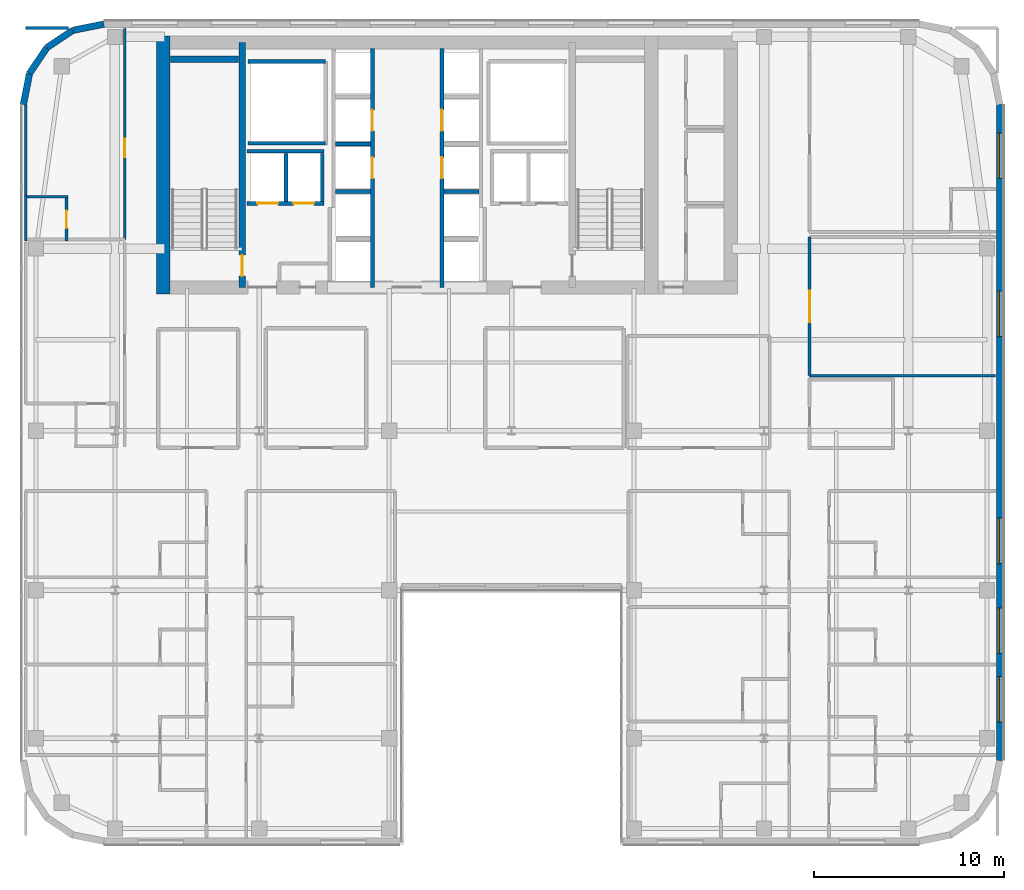
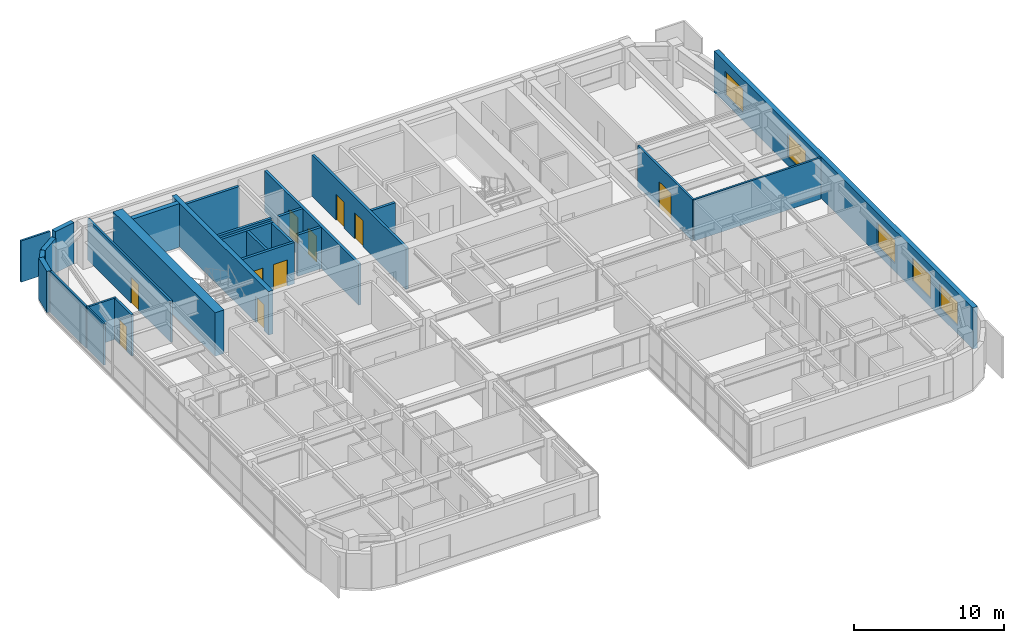
# One storey, part 21 of 28: 27 walls, 10 doors, 5 windows, 15 openings.
"""IFC4 building model written with IfcOpenShell, lengths in metres."""

from ifc_helpers import new_model, si_unit, direction, frame, frame_2d, origin, place, context, subcontext, project, spatial, rectangle, extrude, source, transform, mapped, material, layer, layer_set, type_object, type_shapes, element, fill, save


model = new_model("IFC4")

# Units and contexts
model_context = context("Model", 3, precision=1e-05, world=origin(), true_north=direction((0.0, 1.0)))
body_context = subcontext(model_context, "Body", "Model", "MODEL_VIEW")
ifc_project = project(units=[si_unit("LENGTHUNIT", "METRE"), si_unit("AREAUNIT", "SQUARE_METRE"), si_unit("VOLUMEUNIT", "CUBIC_METRE"), si_unit("PLANEANGLEUNIT", "RADIAN"), si_unit("MASSUNIT", "GRAM", prefix="KILO")], contexts=[model_context])

# Site, building, storey
site_placement = place(None, origin())
site = spatial("IfcSite", under=ifc_project, at=site_placement, CompositionType="ELEMENT")
building_placement = place(site_placement, origin())
building = spatial("IfcBuilding", under=site, at=building_placement, Name="Tolvann Quenvar Hotel", CompositionType="ELEMENT")
storey_placement = place(building_placement, frame((0.0, 0.0, 154.14990234375)))
storey = spatial("IfcBuildingStorey", under=building, at=storey_placement, Name="L40", CompositionType="ELEMENT", Elevation=154.14990234375)

# Wall
ifc_material_1 = material(Name="Concrete S65 (65 MPa)", Category="concrete")
ifc_layer_1 = layer(ifc_material_1, 0.699951171875)
ifc_layer_set_1 = layer_set([ifc_layer_1], Name="Concrete S65 (65 MPa)")
wall_type_1 = type_object("IfcWallType", Name="WALL_CORE_700", PredefinedType="SHEAR", material=ifc_layer_set_1)
wall_1_placement = place(storey_placement, frame((10.14990234375, 31.60009765625, 0.0), z_axis=(0.0, 0.0, 1.0), x_axis=(0.0, 1.0, 0.0)))
element("IfcWall", 1, at=wall_1_placement, inside=storey, type_object=wall_type_1, Name="Rear Core W Shear Wall (L40)", PredefinedType="SHEAR", context=body_context, shape_type="SweptSolid", body=[
    extrude(rectangle(XDim=13.599853515625, YDim=0.699951171875, at=frame_2d((6.7998046875, 0.0))), origin(), (0.0, 0.0, 1.0), 3.550048828125),
])

# Wall, opening, door
ifc_layer_2 = layer(ifc_material_1, 0.35009765625)
ifc_layer_set_2 = layer_set([ifc_layer_2], Name="Concrete S65 (65 MPa)")
wall_type_2 = type_object("IfcWallType", Name="WALL_CORE_INT_350", PredefinedType="SHEAR", material=ifc_layer_set_2)
wall_2_placement = place(storey_placement, frame((14.300048828125, 31.949951171875, 0.0), z_axis=(0.0, 0.0, 1.0), x_axis=(0.0, 1.0, 0.0)))
wall_2 = element("IfcWall", 2, at=wall_2_placement, inside=storey, type_object=wall_type_2, Name="Core Internal Web Shear Wall WEB-W (L40)", PredefinedType="SHEAR", context=body_context, shape_type="SweptSolid", body=[
    extrude(rectangle(XDim=12.900146484375, YDim=0.35009765625, at=frame_2d((6.4501953125, 0.0))), origin(), (0.0, 0.0, 1.0), 3.550048828125),
])
opening_1_placement = place(wall_2_placement, frame((0.60009765625, 0.0, 0.0)))
opening_1 = element("IfcOpeningElement", 3, at=opening_1_placement, cuts=wall_2, Name="Opening FD-120", PredefinedType="OPENING", context=body_context, shape_type="SweptSolid", body=[
    extrude(rectangle(XDim=1.10009765625, YDim=2.1201171875, at=frame_2d((0.550048828125, 1.06005859375))), frame((0.0, 0.18505859375, 0.0), z_axis=(0.0, -1.0, 0.0), x_axis=(1.0, 0.0, 0.0)), (0.0, 0.0, 1.0), 0.3701171875),
])
ifc_material_2 = material(Name="Pressed galvanised steel fire-rated door set", Category="steel")
door_type_1 = type_object("IfcDoorType", Name="DOOR_FIRE_STAIR_1100", OperationType="NOTDEFINED", PredefinedType="DOOR", material=ifc_material_2)
shared_shape_1 = source(origin(), body_context, "Body", "SweptSolid", [
    extrude(rectangle(XDim=1.10009765625, YDim=2.1201171875, at=frame_2d((0.550048828125, 1.06005859375))), frame((0.0, 0.02490234375, 0.0), z_axis=(0.0, -1.0, 0.0), x_axis=(1.0, 0.0, 0.0)), (0.0, 0.0, 1.0), 0.050048828125),
])
type_shapes(door_type_1, [shared_shape_1])
door_1_placement = place(opening_1_placement, origin())
door_1 = element("IfcDoor", 4, at=door_1_placement, inside=storey, type_object=door_type_1, Name="Exit Stair ST-C1 Fire Door (L40)", OperationType="SINGLE_SWING_LEFT", OverallHeight=2.1201171875, OverallWidth=1.10009765625, PredefinedType="DOOR", context=body_context, shape_type="MappedRepresentation", body=[
    mapped(shared_shape_1, transform((0.0, 0.0, 0.0), x_axis=(1.0, 0.0, 0.0), y_axis=(0.0, 1.0, 0.0), z_axis=(0.0, 0.0, 1.0), scale=1.0)),
])
fill(opening_1, door_1)

# Wall
wall_3_placement = place(storey_placement, frame((10.52001953125, 43.97509765625, 0.0), z_axis=(0.0, 0.0, 1.0), x_axis=(1.0, 0.0, 0.0)))
element("IfcWall", 5, at=wall_3_placement, inside=storey, type_object=wall_type_2, Name="Core Stair North Closing Shear Wall STC1-N (L40)", PredefinedType="SHEAR", context=body_context, shape_type="SweptSolid", body=[
    extrude(rectangle(XDim=3.60009765625, YDim=0.35009765625, at=frame_2d((1.800048828125, 0.0))), origin(), (0.0, 0.0, 1.0), 3.550048828125),
])

# Wall, openings, windows
ifc_material_3 = material(Name="Kiln-fired red and buff architectural clay brickwork and terracotta masonry", Category="masonry")
ifc_layer_3 = layer(ifc_material_3, 0.35009765625)
ifc_layer_set_3 = layer_set([ifc_layer_3], Name="Kiln-fired red and buff architectural clay brickwork and terracotta masonry")
wall_type_3 = type_object("IfcWallType", Name="WALL_EXT_BRICK_350", PredefinedType="SOLIDWALL", material=ifc_layer_set_3)
wall_4_placement = place(storey_placement, frame((54.22509765625, 7.01708984375, 0.0), z_axis=(0.0, 0.0, 1.0), x_axis=(0.0, 1.0, 0.0)))
wall_4 = element("IfcWall", 6, at=wall_4_placement, inside=storey, type_object=wall_type_3, Name="Exterior Chicago Brick Wall L40-E13", PredefinedType="SOLIDWALL", context=body_context, shape_type="SweptSolid", body=[
    extrude(rectangle(XDim=34.565673828125, YDim=0.35009765625, at=frame_2d((17.28271484375, 0.0))), origin(), (0.0, 0.0, 1.0), 3.3701171875),
])
opening_2_placement = place(wall_4_placement, frame((2.034912109375, 0.0, 0.679931640625)))
opening_2 = element("IfcOpeningElement", 7, at=opening_2_placement, cuts=wall_4, Name="Opening W-01", PredefinedType="OPENING", context=body_context, shape_type="SweptSolid", body=[
    extrude(rectangle(XDim=2.39990234375, YDim=1.89990234375, at=frame_2d((1.199951171875, 0.949951171875))), frame((0.0, 0.18505859375, 0.0), z_axis=(0.0, -1.0, 0.0), x_axis=(1.0, 0.0, 0.0)), (0.0, 0.0, 1.0), 0.3701171875),
])
opening_3_placement = place(wall_4_placement, frame((5.656005859375, 0.0, 0.679931640625)))
opening_3 = element("IfcOpeningElement", 8, at=opening_3_placement, cuts=wall_4, Name="Opening W-01", PredefinedType="OPENING", context=body_context, shape_type="SweptSolid", body=[
    extrude(rectangle(XDim=2.39990234375, YDim=1.89990234375, at=frame_2d((1.199951171875, 0.949951171875))), frame((0.0, 0.18505859375, 0.0), z_axis=(0.0, -1.0, 0.0), x_axis=(1.0, 0.0, 0.0)), (0.0, 0.0, 1.0), 0.3701171875),
])
opening_4_placement = place(wall_4_placement, frame((10.376953125, 0.0, 0.679931640625)))
opening_4 = element("IfcOpeningElement", 9, at=opening_4_placement, cuts=wall_4, Name="Opening W-01", PredefinedType="OPENING", context=body_context, shape_type="SweptSolid", body=[
    extrude(rectangle(XDim=2.39990234375, YDim=1.89990234375, at=frame_2d((1.199951171875, 0.949951171875))), frame((0.0, 0.18505859375, 0.0), z_axis=(0.0, -1.0, 0.0), x_axis=(1.0, 0.0, 0.0)), (0.0, 0.0, 1.0), 0.3701171875),
])
opening_5_placement = place(wall_4_placement, frame((22.339111328125, 0.0, 0.679931640625)))
opening_5 = element("IfcOpeningElement", 10, at=opening_5_placement, cuts=wall_4, Name="Opening W-01", PredefinedType="OPENING", context=body_context, shape_type="SweptSolid", body=[
    extrude(rectangle(XDim=2.39990234375, YDim=1.89990234375, at=frame_2d((1.199951171875, 0.949951171875))), frame((0.0, 0.18505859375, 0.0), z_axis=(0.0, -1.0, 0.0), x_axis=(1.0, 0.0, 0.0)), (0.0, 0.0, 1.0), 0.3701171875),
])
opening_6_placement = place(wall_4_placement, frame((30.679931640625, 0.0, 0.679931640625)))
opening_6 = element("IfcOpeningElement", 11, at=opening_6_placement, cuts=wall_4, Name="Opening W-01", PredefinedType="OPENING", context=body_context, shape_type="SweptSolid", body=[
    extrude(rectangle(XDim=2.39990234375, YDim=1.89990234375, at=frame_2d((1.199951171875, 0.949951171875))), frame((0.0, 0.18505859375, 0.0), z_axis=(0.0, -1.0, 0.0), x_axis=(1.0, 0.0, 0.0)), (0.0, 0.0, 1.0), 0.3701171875),
])
ifc_material_4 = material(Name="Thermally broken bronze-anodised aluminium frame with double low-E glazing", Category="aluminium")
window_type = type_object("IfcWindowType", Name="WIN_CHI_2400x2050", PartitioningType="TRIPLE_PANEL_HORIZONTAL", PredefinedType="WINDOW", material=ifc_material_4)
shared_shape_2 = source(origin(), body_context, "Body", "SweptSolid", [
    extrude(rectangle(XDim=2.39990234375, YDim=1.89990234375, at=frame_2d((1.199951171875, 0.949951171875))), frame((0.0, 0.090087890625, 0.0), z_axis=(0.0, -1.0, 0.0), x_axis=(1.0, 0.0, 0.0)), (0.0, 0.0, 1.0), 0.06005859375),
])
type_shapes(window_type, [shared_shape_2])
window_1_placement = place(opening_2_placement, origin())
window_1 = element("IfcWindow", 12, at=window_1_placement, inside=storey, type_object=window_type, Name="Chicago Window W-01 (EW-L40-E13-W01)", OverallHeight=1.89990234375, OverallWidth=2.39990234375, PartitioningType="TRIPLE_PANEL_HORIZONTAL", PredefinedType="WINDOW", context=body_context, shape_type="MappedRepresentation", body=[
    mapped(shared_shape_2, transform((0.0, 0.0, 0.0), x_axis=(1.0, 0.0, 0.0), y_axis=(0.0, 1.0, 0.0), z_axis=(0.0, 0.0, 1.0), scale=1.0)),
])
fill(opening_2, window_1)
window_2_placement = place(opening_3_placement, origin())
window_2 = element("IfcWindow", 13, at=window_2_placement, inside=storey, type_object=window_type, Name="Chicago Window W-01 (EW-L40-E13-W02)", OverallHeight=1.89990234375, OverallWidth=2.39990234375, PartitioningType="TRIPLE_PANEL_HORIZONTAL", PredefinedType="WINDOW", context=body_context, shape_type="MappedRepresentation", body=[
    mapped(shared_shape_2, transform((0.0, 0.0, 0.0), x_axis=(1.0, 0.0, 0.0), y_axis=(0.0, 1.0, 0.0), z_axis=(0.0, 0.0, 1.0), scale=1.0)),
])
fill(opening_3, window_2)
window_3_placement = place(opening_4_placement, origin())
window_3 = element("IfcWindow", 14, at=window_3_placement, inside=storey, type_object=window_type, Name="Chicago Window W-01 (EW-L40-E13-W03)", OverallHeight=1.89990234375, OverallWidth=2.39990234375, PartitioningType="TRIPLE_PANEL_HORIZONTAL", PredefinedType="WINDOW", context=body_context, shape_type="MappedRepresentation", body=[
    mapped(shared_shape_2, transform((0.0, 0.0, 0.0), x_axis=(1.0, 0.0, 0.0), y_axis=(0.0, 1.0, 0.0), z_axis=(0.0, 0.0, 1.0), scale=1.0)),
])
fill(opening_4, window_3)
window_4_placement = place(opening_5_placement, origin())
window_4 = element("IfcWindow", 15, at=window_4_placement, inside=storey, type_object=window_type, Name="Chicago Window W-01 (EW-L40-E13-W04)", OverallHeight=1.89990234375, OverallWidth=2.39990234375, PartitioningType="TRIPLE_PANEL_HORIZONTAL", PredefinedType="WINDOW", context=body_context, shape_type="MappedRepresentation", body=[
    mapped(shared_shape_2, transform((0.0, 0.0, 0.0), x_axis=(1.0, 0.0, 0.0), y_axis=(0.0, 1.0, 0.0), z_axis=(0.0, 0.0, 1.0), scale=1.0)),
])
fill(opening_5, window_4)
window_5_placement = place(opening_6_placement, origin())
window_5 = element("IfcWindow", 16, at=window_5_placement, inside=storey, type_object=window_type, Name="Chicago Window W-01 (EW-L40-E13-W05)", OverallHeight=1.89990234375, OverallWidth=2.39990234375, PartitioningType="TRIPLE_PANEL_HORIZONTAL", PredefinedType="WINDOW", context=body_context, shape_type="MappedRepresentation", body=[
    mapped(shared_shape_2, transform((0.0, 0.0, 0.0), x_axis=(1.0, 0.0, 0.0), y_axis=(0.0, 1.0, 0.0), z_axis=(0.0, 0.0, 1.0), scale=1.0)),
])
fill(opening_6, window_5)

# Walls
wall_5_placement = place(storey_placement, frame((7.01708984375, 45.824951171875, 0.0), z_axis=(0.0, 0.0, 1.0), x_axis=(-0.980788844421, -0.195072403631, 0.0)))
element("IfcWall", 17, at=wall_5_placement, inside=storey, type_object=wall_type_3, Name="Exterior Chicago Brick Wall L40-E19", PredefinedType="SOLIDWALL", context=body_context, shape_type="SweptSolid", body=[
    extrude(rectangle(XDim=1.66455078125, YDim=0.35009765625, at=frame_2d((0.832275390625, 0.0))), origin(), (0.0, 0.0, 1.0), 3.3701171875),
])
for number, where, z_axis, x_axis, name in (
    (18, (5.384521484375, 45.500244140625, 0.0), (0.0, 0.0, 1.0), (-0.831502623162, -0.555520825599, 0.0), "Exterior Chicago Brick Wall L40-E20"),
    (19, (4.014892578125, 44.585205078125, 0.0), (0.0, 0.0, 1.0), (-0.555623290322, -0.831434158098, 0.0), "Exterior Chicago Brick Wall L40-E21"),
):
    element("IfcWall", number, at=place(storey_placement, frame(where, z_axis=z_axis, x_axis=x_axis)), inside=storey, type_object=wall_type_3, Name=name, PredefinedType="SOLIDWALL", context=body_context, shape_type="SweptSolid", body=[
        extrude(rectangle(XDim=1.647216796875, YDim=0.35009765625, at=frame_2d((0.82373046875, 0.0))), origin(), (0.0, 0.0, 1.0), 2.83203125),
    ])
wall_6_placement = place(storey_placement, frame((3.099609375, 43.215576171875, 0.0), z_axis=(0.0, 0.0, 1.0), x_axis=(-0.195044345786, -0.980794424524, 0.0)))
element("IfcWall", 20, at=wall_6_placement, inside=storey, type_object=wall_type_3, Name="Exterior Chicago Brick Wall L40-E22", PredefinedType="SOLIDWALL", context=body_context, shape_type="SweptSolid", body=[
    extrude(rectangle(XDim=1.664794921875, YDim=0.35009765625, at=frame_2d((0.83251953125, 0.0))), origin(), (0.0, 0.0, 1.0), 3.3701171875),
])
ifc_material_5 = material(Name="Moisture-resistant acoustic plumbing wall assembly")
ifc_layer_4 = layer(ifc_material_5, 0.1201171875)
ifc_layer_set_4 = layer_set([ifc_layer_4], Name="Moisture-resistant acoustic plumbing wall assembly")
wall_type_4 = type_object("IfcWallType", Name="WALL_PART_BATH_120", PredefinedType="PLUMBINGWALL", material=ifc_layer_set_4)
wall_7_placement = place(storey_placement, frame((2.89990234375, 34.409912109375, 0.0), z_axis=(0.0, 0.0, 1.0), x_axis=(0.0, 1.0, 0.0)))
element("IfcWall", 21, at=wall_7_placement, inside=storey, type_object=wall_type_4, Name="Non-Rated Plumbing Partition PT-SPC-L40-ENS-NW02-W", PredefinedType="PLUMBINGWALL", context=body_context, shape_type="SweptSolid", body=[
    extrude(rectangle(XDim=2.39013671875, YDim=0.1201171875, at=frame_2d((1.195068359375, 0.0))), origin(), (0.0, 0.0, 1.0), 3.3701171875),
])

# Wall, opening, door
ifc_material_6 = material(Name="Acoustic twin-stud fire-rated gypsum plasterboard partition")
ifc_layer_5 = layer(ifc_material_6, 0.14990234375)
ifc_layer_set_5 = layer_set([ifc_layer_5], Name="Acoustic twin-stud fire-rated gypsum plasterboard partition")
wall_type_5 = type_object("IfcWallType", Name="WALL_PART_SUITE_150", PredefinedType="PARTITIONING", material=ifc_layer_set_5)
wall_8_placement = place(storey_placement, frame((5.050048828125, 34.409912109375, 0.0), z_axis=(0.0, 0.0, 1.0), x_axis=(0.0, 1.0, 0.0)))
wall_8 = element("IfcWall", 22, at=wall_8_placement, inside=storey, type_object=wall_type_5, Name="Interior Partition PT-SPC-L40-ENS-NW02-ENT", PredefinedType="PARTITIONING", context=body_context, shape_type="SweptSolid", body=[
    extrude(rectangle(XDim=2.39013671875, YDim=0.14990234375, at=frame_2d((1.195068359375, 0.0))), origin(), (0.0, 0.0, 1.0), 3.3701171875),
])
opening_7_placement = place(wall_8_placement, frame((0.6650390625, 0.0, 0.0)))
opening_7 = element("IfcOpeningElement", 23, at=opening_7_placement, cuts=wall_8, Name="Opening WD-01", PredefinedType="OPENING", context=body_context, shape_type="SweptSolid", body=[
    extrude(rectangle(XDim=0.919921875, YDim=2.010009765625, at=frame_2d((0.4599609375, 1.0048828125))), frame((0.0, 0.0849609375, 0.0), z_axis=(0.0, -1.0, 0.0), x_axis=(1.0, 0.0, 0.0)), (0.0, 0.0, 1.0), 0.169921875),
])
ifc_material_7 = material(Name="Solid-core American oak acoustic fire door leaf in steel frame", Category="steel")
door_type_2 = type_object("IfcDoorType", Name="DOOR_WC_920", OperationType="NOTDEFINED", PredefinedType="DOOR", material=ifc_material_7)
shared_shape_3 = source(origin(), body_context, "Body", "SweptSolid", [
    extrude(rectangle(XDim=0.919921875, YDim=2.010009765625, at=frame_2d((0.4599609375, 1.0048828125))), frame((0.0, 0.02490234375, 0.0), z_axis=(0.0, -1.0, 0.0), x_axis=(1.0, 0.0, 0.0)), (0.0, 0.0, 1.0), 0.050048828125),
])
type_shapes(door_type_2, [shared_shape_3])
door_2_placement = place(opening_7_placement, origin())
door_2 = element("IfcDoor", 24, at=door_2_placement, inside=storey, type_object=door_type_2, Name="Interior Door DOOR-SPC-L40-ENS-NW02", OperationType="SINGLE_SWING_LEFT", OverallHeight=2.010009765625, OverallWidth=0.919921875, PredefinedType="DOOR", context=body_context, shape_type="MappedRepresentation", body=[
    mapped(shared_shape_3, transform((0.0, 0.0, 0.0), x_axis=(1.0, 0.0, 0.0), y_axis=(0.0, 1.0, 0.0), z_axis=(0.0, 0.0, 1.0), scale=1.0)),
])
fill(opening_7, door_2)

# Wall
wall_9_placement = place(storey_placement, frame((2.830078125, 36.72998046875, 0.0), z_axis=(0.0, 0.0, 1.0), x_axis=(1.0, 0.0, 0.0)))
element("IfcWall", 25, at=wall_9_placement, inside=storey, type_object=wall_type_5, Name="Interior Partition PT-SPC-L40-ENS-NW02-N", PredefinedType="PARTITIONING", context=body_context, shape_type="SweptSolid", body=[
    extrude(rectangle(XDim=2.2900390625, YDim=0.14990234375, at=frame_2d((1.14501953125, 0.0))), origin(), (0.0, 0.0, 1.0), 3.3701171875),
])

# Wall, opening, door
wall_10_placement = place(storey_placement, frame((8.1201171875, 34.47998046875, 0.0), z_axis=(0.0, 0.0, 1.0), x_axis=(0.0, 1.0, 0.0)))
wall_10 = element("IfcWall", 26, at=wall_10_placement, inside=storey, type_object=wall_type_5, Name="Interior Partition PT-SPC-L40-RM-NW02-ENT", PredefinedType="PARTITIONING", context=body_context, shape_type="SweptSolid", body=[
    extrude(rectangle(XDim=11.114990234375, YDim=0.14990234375, at=frame_2d((5.5576171875, 0.0))), origin(), (0.0, 0.0, 1.0), 3.3701171875),
])
opening_8_placement = place(wall_10_placement, frame((4.320068359375, 0.0, 0.0)))
opening_8 = element("IfcOpeningElement", 27, at=opening_8_placement, cuts=wall_10, Name="Opening SD-01", PredefinedType="OPENING", context=body_context, shape_type="SweptSolid", body=[
    extrude(rectangle(XDim=0.97998046875, YDim=2.1201171875, at=frame_2d((0.489990234375, 1.06005859375))), frame((0.0, 0.0849609375, 0.0), z_axis=(0.0, -1.0, 0.0), x_axis=(1.0, 0.0, 0.0)), (0.0, 0.0, 1.0), 0.169921875),
])
door_type_3 = type_object("IfcDoorType", Name="DOOR_SUITE_980", OperationType="NOTDEFINED", PredefinedType="DOOR", material=ifc_material_7)
shared_shape_4 = source(origin(), body_context, "Body", "SweptSolid", [
    extrude(rectangle(XDim=0.97998046875, YDim=2.1201171875, at=frame_2d((0.489990234375, 1.06005859375))), frame((0.0, 0.02490234375, 0.0), z_axis=(0.0, -1.0, 0.0), x_axis=(1.0, 0.0, 0.0)), (0.0, 0.0, 1.0), 0.050048828125),
])
type_shapes(door_type_3, [shared_shape_4])
door_3_placement = place(opening_8_placement, origin())
door_3 = element("IfcDoor", 28, at=door_3_placement, inside=storey, type_object=door_type_3, Name="Interior Door DOOR-SPC-L40-RM-NW02", OperationType="SINGLE_SWING_RIGHT", OverallHeight=2.1201171875, OverallWidth=0.97998046875, PredefinedType="DOOR", context=body_context, shape_type="MappedRepresentation", body=[
    mapped(shared_shape_4, transform((0.0, 0.0, 0.0), x_axis=(1.0, 0.0, 0.0), y_axis=(0.0, 1.0, 0.0), z_axis=(0.0, 0.0, 1.0), scale=1.0)),
])
fill(opening_8, door_3)

# Walls
wall_11_placement = place(storey_placement, frame((2.89990234375, 45.6201171875, 0.0), z_axis=(0.0, 0.0, 1.0), x_axis=(1.0, 0.0, 0.0)))
element("IfcWall", 29, at=wall_11_placement, inside=storey, type_object=wall_type_5, Name="Interior Partition PT-SPC-L40-RM-NW02-E5", PredefinedType="PARTITIONING", context=body_context, shape_type="SweptSolid", body=[
    extrude(rectangle(XDim=2.25, YDim=0.14990234375, at=frame_2d((1.125, 0.0))), origin(), (0.0, 0.0, 1.0), 3.3701171875),
])
wall_12_placement = place(storey_placement, frame((2.89990234375, 36.75, 0.0), z_axis=(0.0, 0.0, 1.0), x_axis=(0.0, 1.0, 0.0)))
element("IfcWall", 30, at=wall_12_placement, inside=storey, type_object=wall_type_5, Name="Interior Partition PT-SPC-L40-RM-NW02-E6", PredefinedType="PARTITIONING", context=body_context, shape_type="SweptSolid", body=[
    extrude(rectangle(XDim=4.80810546875, YDim=0.14990234375, at=frame_2d((2.404052734375, 0.0))), origin(), (0.0, 0.0, 1.0), 3.3701171875),
])
wall_13_placement = place(storey_placement, frame((44.199951171875, 27.300048828125, 0.0), z_axis=(0.0, 0.0, 1.0), x_axis=(1.0, 0.0, 0.0)))
element("IfcWall", 31, at=wall_13_placement, inside=storey, type_object=wall_type_5, Name="Interior Partition PT-SPC-L40-SPA-S", PredefinedType="PARTITIONING", context=body_context, shape_type="SweptSolid", body=[
    extrude(rectangle(XDim=9.795166015625, YDim=0.14990234375, at=frame_2d((4.8974609375, 0.0))), origin(), (0.0, 0.0, 1.0), 3.3701171875),
])

# Wall, opening, door
wall_14_placement = place(storey_placement, frame((44.199951171875, 27.300048828125, 0.0), z_axis=(0.0, 0.0, 1.0), x_axis=(0.0, 1.0, 0.0)))
wall_14 = element("IfcWall", 32, at=wall_14_placement, inside=storey, type_object=wall_type_5, Name="Interior Partition PT-SPC-L40-SPA-W", PredefinedType="PARTITIONING", context=body_context, shape_type="SweptSolid", body=[
    extrude(rectangle(XDim=7.300048828125, YDim=0.14990234375, at=frame_2d((3.64990234375, 0.0))), origin(), (0.0, 0.0, 1.0), 3.3701171875),
])
opening_9_placement = place(wall_14_placement, frame((2.824951171875, 0.0, 0.0)))
opening_9 = element("IfcOpeningElement", 33, at=opening_9_placement, cuts=wall_14, Name="Opening AD-01", PredefinedType="OPENING", context=body_context, shape_type="SweptSolid", body=[
    extrude(rectangle(XDim=1.64990234375, YDim=2.14990234375, at=frame_2d((0.824951171875, 1.074951171875))), frame((0.0, 0.0849609375, 0.0), z_axis=(0.0, -1.0, 0.0), x_axis=(1.0, 0.0, 0.0)), (0.0, 0.0, 1.0), 0.169921875),
])
door_type_4 = type_object("IfcDoorType", Name="DOOR_SALON_1650", OperationType="NOTDEFINED", PredefinedType="DOOR", material=ifc_material_7)
shared_shape_5 = source(origin(), body_context, "Body", "SweptSolid", [
    extrude(rectangle(XDim=1.64990234375, YDim=2.14990234375, at=frame_2d((0.824951171875, 1.074951171875))), frame((0.0, 0.02490234375, 0.0), z_axis=(0.0, -1.0, 0.0), x_axis=(1.0, 0.0, 0.0)), (0.0, 0.0, 1.0), 0.050048828125),
])
type_shapes(door_type_4, [shared_shape_5])
door_4_placement = place(opening_9_placement, origin())
door_4 = element("IfcDoor", 34, at=door_4_placement, inside=storey, type_object=door_type_4, Name="Interior Door DOOR-SPC-L40-SPA", OperationType="DOUBLE_DOOR_SINGLE_SWING", OverallHeight=2.14990234375, OverallWidth=1.64990234375, PredefinedType="DOOR", context=body_context, shape_type="MappedRepresentation", body=[
    mapped(shared_shape_5, transform((0.0, 0.0, 0.0), x_axis=(1.0, 0.0, 0.0), y_axis=(0.0, 1.0, 0.0), z_axis=(0.0, 0.0, 1.0), scale=1.0)),
])
fill(opening_9, door_4)

# Walls
ifc_material_8 = material(Name="Concrete N40 (40 MPa)", Category="concrete")
ifc_layer_6 = layer(ifc_material_8, 0.199951171875)
ifc_layer_set_6 = layer_set([ifc_layer_6], Name="Concrete N40 (40 MPa)")
wall_type_6 = type_object("IfcWallType", Name="WALL_SHAFT_200", PredefinedType="SOLIDWALL", material=ifc_layer_set_6)
for number, where, z_axis, x_axis, name in (
    (35, (14.60009765625, 39.550048828125, 0.0), (0.0, 0.0, 1.0), (1.0, 0.0, 0.0), "Service Riser W Shaft Wall S (L40)"),
    (36, (14.60009765625, 43.85009765625, 0.0), (0.0, 0.0, 1.0), (1.0, 0.0, 0.0), "Service Riser W Shaft Wall N (L40)"),
):
    element("IfcWall", number, at=place(storey_placement, frame(where, z_axis=z_axis, x_axis=x_axis)), inside=storey, type_object=wall_type_6, Name=name, PredefinedType="SOLIDWALL", context=body_context, shape_type="SweptSolid", body=[
        extrude(rectangle(XDim=4.099853515625, YDim=0.199951171875, at=frame_2d((2.0498046875, 0.0))), origin(), (0.0, 0.0, 1.0), 3.3701171875),
    ])

# Wall, openings, doors
wall_15_placement = place(storey_placement, frame((21.169921875, 31.9599609375, 0.0), z_axis=(0.0, 0.0, 1.0), x_axis=(0.0, 1.0, 0.0)))
wall_15 = element("IfcWall", 37, at=wall_15_placement, inside=storey, type_object=wall_type_6, Name="Lift Bank E21.1C1 Hoistway Front Wall (L40)", PredefinedType="SOLIDWALL", context=body_context, shape_type="SweptSolid", body=[
    extrude(rectangle(XDim=12.580078125, YDim=0.199951171875, at=frame_2d((6.2900390625, 0.0))), origin(), (0.0, 0.0, 1.0), 3.3701171875),
])
opening_10_placement = place(wall_15_placement, frame((5.739990234375, 0.0, 0.0)))
opening_10 = element("IfcOpeningElement", 38, at=opening_10_placement, cuts=wall_15, Name="Opening LD-01", PredefinedType="OPENING", context=body_context, shape_type="SweptSolid", body=[
    extrude(rectangle(XDim=1.10009765625, YDim=2.1201171875, at=frame_2d((0.550048828125, 1.06005859375))), frame((0.0, 0.10986328125, 0.0), z_axis=(0.0, -1.0, 0.0), x_axis=(1.0, 0.0, 0.0)), (0.0, 0.0, 1.0), 0.219970703125),
])
opening_11_placement = place(wall_15_placement, frame((8.239990234375, 0.0, 0.0)))
opening_11 = element("IfcOpeningElement", 39, at=opening_11_placement, cuts=wall_15, Name="Opening LD-01", PredefinedType="OPENING", context=body_context, shape_type="SweptSolid", body=[
    extrude(rectangle(XDim=1.10009765625, YDim=2.1201171875, at=frame_2d((0.550048828125, 1.06005859375))), frame((0.0, 0.10986328125, 0.0), z_axis=(0.0, -1.0, 0.0), x_axis=(1.0, 0.0, 0.0)), (0.0, 0.0, 1.0), 0.219970703125),
])
ifc_material_9 = material(Name="Brushed 316 stainless steel automatic sliding lift landing door", Category="steel")
door_type_5 = type_object("IfcDoorType", Name="DOOR_LIFT_SLIDE_1100", OperationType="NOTDEFINED", PredefinedType="DOOR", material=ifc_material_9)
shared_shape_6 = source(origin(), body_context, "Body", "SweptSolid", [
    extrude(rectangle(XDim=1.10009765625, YDim=2.1201171875, at=frame_2d((0.550048828125, 1.06005859375))), frame((0.0, 0.02490234375, 0.0), z_axis=(0.0, -1.0, 0.0), x_axis=(1.0, 0.0, 0.0)), (0.0, 0.0, 1.0), 0.050048828125),
])
type_shapes(door_type_5, [shared_shape_6])
door_5_placement = place(opening_10_placement, origin())
door_5 = element("IfcDoor", 40, at=door_5_placement, inside=storey, type_object=door_type_5, Name="Lift PM-1 Sliding Landing Door (L40)", OperationType="SLIDING_TO_RIGHT", OverallHeight=2.1201171875, OverallWidth=1.10009765625, PredefinedType="DOOR", context=body_context, shape_type="MappedRepresentation", body=[
    mapped(shared_shape_6, transform((0.0, 0.0, 0.0), x_axis=(1.0, 0.0, 0.0), y_axis=(0.0, 1.0, 0.0), z_axis=(0.0, 0.0, 1.0), scale=1.0)),
])
fill(opening_10, door_5)
door_6_placement = place(opening_11_placement, origin())
door_6 = element("IfcDoor", 41, at=door_6_placement, inside=storey, type_object=door_type_5, Name="Lift PM-2 Sliding Landing Door (L40)", OperationType="SLIDING_TO_LEFT", OverallHeight=2.1201171875, OverallWidth=1.10009765625, PredefinedType="DOOR", context=body_context, shape_type="MappedRepresentation", body=[
    mapped(shared_shape_6, transform((0.0, 0.0, 0.0), x_axis=(1.0, 0.0, 0.0), y_axis=(0.0, 1.0, 0.0), z_axis=(0.0, 0.0, 1.0), scale=1.0)),
])
fill(opening_11, door_6)

# Walls
for number, where, z_axis, x_axis, name in (
    (42, (19.22998046875, 37.0, 0.0), (0.0, 0.0, 1.0), (1.0, 0.0, 0.0), "Lift Bank E21.1C1 Divider Wall 2 (L40)"),
    (43, (19.22998046875, 39.5, 0.0), (0.0, 0.0, 1.0), (1.0, 0.0, 0.0), "Lift Bank E21.1C1 Divider Wall 3 (L40)"),
):
    element("IfcWall", number, at=place(storey_placement, frame(where, z_axis=z_axis, x_axis=x_axis)), inside=storey, type_object=wall_type_6, Name=name, PredefinedType="SOLIDWALL", context=body_context, shape_type="SweptSolid", body=[
        extrude(rectangle(XDim=1.840087890625, YDim=0.199951171875, at=frame_2d((0.919921875, 0.0))), origin(), (0.0, 0.0, 1.0), 3.3701171875),
    ])

# Wall, openings, doors
wall_16_placement = place(storey_placement, frame((14.550048828125, 36.3798828125, 0.0), z_axis=(0.0, 0.0, 1.0), x_axis=(1.0, 0.0, 0.0)))
wall_16 = element("IfcWall", 44, at=wall_16_placement, inside=storey, type_object=wall_type_6, Name="Lift Bank SWC1 Hoistway Front Wall (L40)", PredefinedType="SOLIDWALL", context=body_context, shape_type="SweptSolid", body=[
    extrude(rectangle(XDim=4.074951171875, YDim=0.199951171875, at=frame_2d((2.03759765625, 0.0))), origin(), (0.0, 0.0, 1.0), 3.3701171875),
])
opening_12_placement = place(wall_16_placement, frame((0.550048828125, 0.0, 0.0)))
opening_12 = element("IfcOpeningElement", 45, at=opening_12_placement, cuts=wall_16, Name="Opening LD-01", PredefinedType="OPENING", context=body_context, shape_type="SweptSolid", body=[
    extrude(rectangle(XDim=1.10009765625, YDim=2.1201171875, at=frame_2d((0.550048828125, 1.06005859375))), frame((0.0, 0.10986328125, 0.0), z_axis=(0.0, -1.0, 0.0), x_axis=(1.0, 0.0, 0.0)), (0.0, 0.0, 1.0), 0.219970703125),
])
opening_13_placement = place(wall_16_placement, frame((2.449951171875, 0.0, 0.0)))
opening_13 = element("IfcOpeningElement", 46, at=opening_13_placement, cuts=wall_16, Name="Opening LD-01", PredefinedType="OPENING", context=body_context, shape_type="SweptSolid", body=[
    extrude(rectangle(XDim=1.10009765625, YDim=2.1201171875, at=frame_2d((0.550048828125, 1.06005859375))), frame((0.0, 0.10986328125, 0.0), z_axis=(0.0, -1.0, 0.0), x_axis=(1.0, 0.0, 0.0)), (0.0, 0.0, 1.0), 0.219970703125),
])
door_7_placement = place(opening_12_placement, origin())
door_7 = element("IfcDoor", 47, at=door_7_placement, inside=storey, type_object=door_type_5, Name="Lift FF-1 Sliding Landing Door (L40)", OperationType="SLIDING_TO_LEFT", OverallHeight=2.1201171875, OverallWidth=1.10009765625, PredefinedType="DOOR", context=body_context, shape_type="MappedRepresentation", body=[
    mapped(shared_shape_6, transform((0.0, 0.0, 0.0), x_axis=(1.0, 0.0, 0.0), y_axis=(0.0, 1.0, 0.0), z_axis=(0.0, 0.0, 1.0), scale=1.0)),
])
fill(opening_12, door_7)
door_8_placement = place(opening_13_placement, origin())
door_8 = element("IfcDoor", 48, at=door_8_placement, inside=storey, type_object=door_type_5, Name="Lift SV-1 Sliding Landing Door (L40)", OperationType="SLIDING_TO_RIGHT", OverallHeight=2.1201171875, OverallWidth=1.10009765625, PredefinedType="DOOR", context=body_context, shape_type="MappedRepresentation", body=[
    mapped(shared_shape_6, transform((0.0, 0.0, 0.0), x_axis=(1.0, 0.0, 0.0), y_axis=(0.0, 1.0, 0.0), z_axis=(0.0, 0.0, 1.0), scale=1.0)),
])
fill(opening_13, door_8)

# Walls
wall_17_placement = place(storey_placement, frame((14.550048828125, 39.1201171875, 0.0), z_axis=(0.0, 0.0, 1.0), x_axis=(1.0, 0.0, 0.0)))
element("IfcWall", 49, at=wall_17_placement, inside=storey, type_object=wall_type_6, Name="Lift Bank SWC1 Hoistway Rear Wall (L40)", PredefinedType="SOLIDWALL", context=body_context, shape_type="SweptSolid", body=[
    extrude(rectangle(XDim=4.074951171875, YDim=0.199951171875, at=frame_2d((2.03759765625, 0.0))), origin(), (0.0, 0.0, 1.0), 3.3701171875),
])
for number, where, z_axis, x_axis, name in (
    (50, (18.52490234375, 36.47998046875, 0.0), (0.0, 0.0, 1.0), (0.0, 1.0, 0.0), "Lift Bank SWC1 Hoistway Cheek Wall 2 (L40)"),
    (51, (16.612548828125, 36.47998046875, 0.0), (0.0, 0.0, 1.0), (0.0, 1.0, 0.0), "Lift Bank SWC1 Divider Wall 1 (L40)"),
):
    element("IfcWall", number, at=place(storey_placement, frame(where, z_axis=z_axis, x_axis=x_axis)), inside=storey, type_object=wall_type_6, Name=name, PredefinedType="SOLIDWALL", context=body_context, shape_type="SweptSolid", body=[
        extrude(rectangle(XDim=2.5400390625, YDim=0.199951171875, at=frame_2d((1.27001953125, 0.0))), origin(), (0.0, 0.0, 1.0), 3.3701171875),
    ])

# Wall, openings, doors
wall_18_placement = place(storey_placement, frame((24.830078125, 31.9599609375, 0.0), z_axis=(0.0, 0.0, 1.0), x_axis=(0.0, 1.0, 0.0)))
wall_18 = element("IfcWall", 52, at=wall_18_placement, inside=storey, type_object=wall_type_6, Name="Lift Bank W24.9C1 Hoistway Front Wall (L40)", PredefinedType="SOLIDWALL", context=body_context, shape_type="SweptSolid", body=[
    extrude(rectangle(XDim=12.580078125, YDim=0.199951171875, at=frame_2d((6.2900390625, 0.0))), origin(), (0.0, 0.0, 1.0), 3.3701171875),
])
opening_14_placement = place(wall_18_placement, frame((5.739990234375, 0.0, 0.0)))
opening_14 = element("IfcOpeningElement", 53, at=opening_14_placement, cuts=wall_18, Name="Opening LD-01", PredefinedType="OPENING", context=body_context, shape_type="SweptSolid", body=[
    extrude(rectangle(XDim=1.10009765625, YDim=2.1201171875, at=frame_2d((0.550048828125, 1.06005859375))), frame((0.0, 0.10986328125, 0.0), z_axis=(0.0, -1.0, 0.0), x_axis=(1.0, 0.0, 0.0)), (0.0, 0.0, 1.0), 0.219970703125),
])
opening_15_placement = place(wall_18_placement, frame((8.239990234375, 0.0, 0.0)))
opening_15 = element("IfcOpeningElement", 54, at=opening_15_placement, cuts=wall_18, Name="Opening LD-01", PredefinedType="OPENING", context=body_context, shape_type="SweptSolid", body=[
    extrude(rectangle(XDim=1.10009765625, YDim=2.1201171875, at=frame_2d((0.550048828125, 1.06005859375))), frame((0.0, 0.10986328125, 0.0), z_axis=(0.0, -1.0, 0.0), x_axis=(1.0, 0.0, 0.0)), (0.0, 0.0, 1.0), 0.219970703125),
])
door_9_placement = place(opening_14_placement, origin())
door_9 = element("IfcDoor", 55, at=door_9_placement, inside=storey, type_object=door_type_5, Name="Lift PM-3 Sliding Landing Door (L40)", OperationType="SLIDING_TO_RIGHT", OverallHeight=2.1201171875, OverallWidth=1.10009765625, PredefinedType="DOOR", context=body_context, shape_type="MappedRepresentation", body=[
    mapped(shared_shape_6, transform((0.0, 0.0, 0.0), x_axis=(1.0, 0.0, 0.0), y_axis=(0.0, 1.0, 0.0), z_axis=(0.0, 0.0, 1.0), scale=1.0)),
])
fill(opening_14, door_9)
door_10_placement = place(opening_15_placement, origin())
door_10 = element("IfcDoor", 56, at=door_10_placement, inside=storey, type_object=door_type_5, Name="Lift PM-4 Sliding Landing Door (L40)", OperationType="SLIDING_TO_LEFT", OverallHeight=2.1201171875, OverallWidth=1.10009765625, PredefinedType="DOOR", context=body_context, shape_type="MappedRepresentation", body=[
    mapped(shared_shape_6, transform((0.0, 0.0, 0.0), x_axis=(1.0, 0.0, 0.0), y_axis=(0.0, 1.0, 0.0), z_axis=(0.0, 0.0, 1.0), scale=1.0)),
])
fill(opening_15, door_10)

# Wall
wall_19_placement = place(storey_placement, frame((24.929931640625, 37.0, 0.0), z_axis=(0.0, 0.0, 1.0), x_axis=(1.0, 0.0, 0.0)))
element("IfcWall", 57, at=wall_19_placement, inside=storey, type_object=wall_type_6, Name="Lift Bank W24.9C1 Divider Wall 2 (L40)", PredefinedType="SOLIDWALL", context=body_context, shape_type="SweptSolid", body=[
    extrude(rectangle(XDim=1.840087890625, YDim=0.199951171875, at=frame_2d((0.919921875, 0.0))), origin(), (0.0, 0.0, 1.0), 3.3701171875),
])

save(model, "model.ifc")
